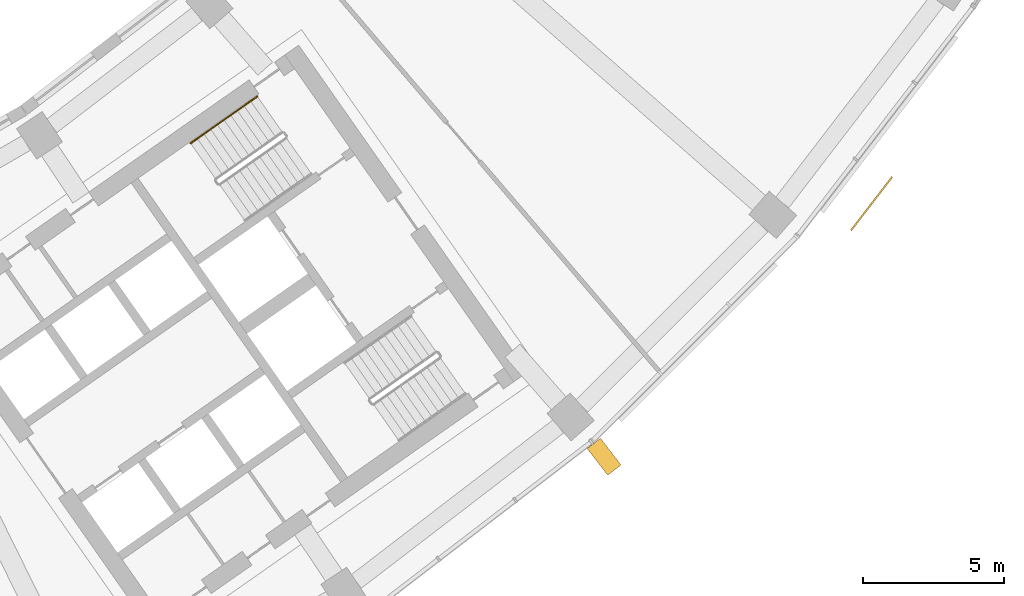
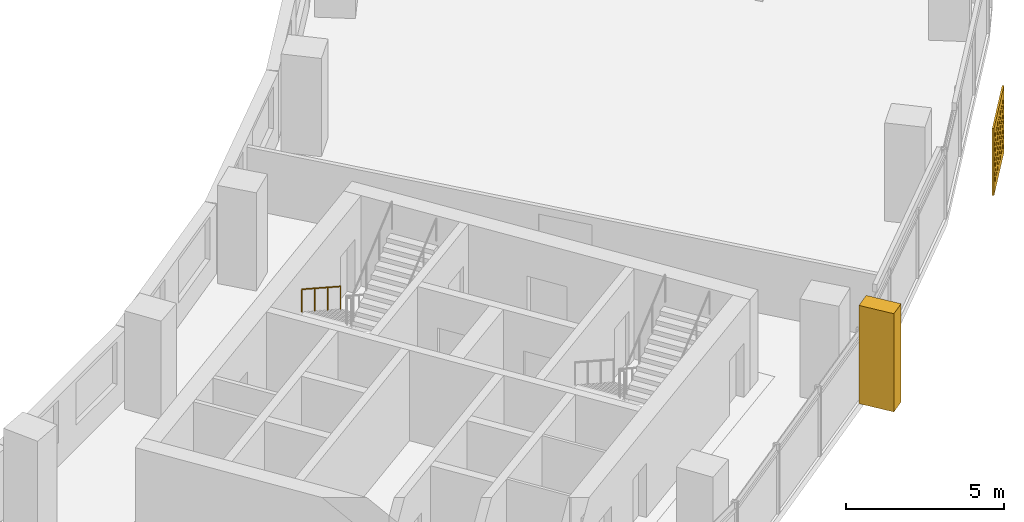
# One storey, part 27 of 27: 2 shading devices, 1 railing.
"""IFC4 building model written with IfcOpenShell, lengths in metres."""

import ifcopenshell
import ifcopenshell.guid

model = None  # the IFC model being written
_history = None  # IfcOwnerHistory: only IFC2X3 demands one
_inside = {}  # id of a spatial element -> (the spatial element, [elements in it])
_under = {}  # id of a project, library or spatial element -> (it, [spatial elements below it])
_declared = {}  # id of a project -> (the project, [libraries it declares])
_typed = {}  # id of a type object -> (the type object, [elements of that type])
_made_of = {}  # id of a material, layer set ... -> (it, [elements and type objects made of it])


def new_model(schema):
    """Start an empty IFC model of exactly this schema.

    Asked for "IFC4X3", IfcOpenShell would pick the latest addendum, in which some entities
    have other attributes; the version numbers below select the first issue.
    IFC2X3 requires an IfcOwnerHistory on every rooted entity: one is made here for all.
    """
    global model, _history
    if schema == "IFC4X3":
        model = ifcopenshell.file(schema_version=(4, 3, 0, 0))
    else:
        model = ifcopenshell.file(schema=schema)
    _inside.clear()
    _under.clear()
    _declared.clear()
    _typed.clear()
    _made_of.clear()
    _history = None
    if model.schema == "IFC2X3":
        org = make("IfcOrganization", Name="unknown")
        user = make(
            "IfcPersonAndOrganization",
            ThePerson=make("IfcPerson", FamilyName="unknown"),
            TheOrganization=org,
        )
        app = make(
            "IfcApplication",
            ApplicationDeveloper=org,
            Version="unknown",
            ApplicationFullName="unknown",
            ApplicationIdentifier="unknown",
        )
        _history = make(
            "IfcOwnerHistory",
            OwningUser=user,
            OwningApplication=app,
            ChangeAction="ADDED",
            CreationDate=0,
        )
    return model


def make(cls, **values):
    """One entity of the class cls with the attributes given. An attribute that is None is left unset."""
    return model.create_entity(
        cls, **{name: value for name, value in values.items() if value is not None}
    )


def rooted(cls, **values):
    """An entity with a GlobalId (a new one), such as an element, a storey or a relation."""
    return make(cls, GlobalId=ifcopenshell.guid.new(), OwnerHistory=_history, **values)


def si_unit(unit_type, name, prefix=None):
    """IfcSIUnit, for example si_unit("LENGTHUNIT", "METRE", prefix="MILLI")."""
    return make("IfcSIUnit", UnitType=unit_type, Prefix=prefix, Name=name)


def assignment(units):
    """IfcUnitAssignment: the units of a project."""
    return None if units is None else make("IfcUnitAssignment", Units=units)


def point(xyz):
    """IfcCartesianPoint."""
    return None if xyz is None else make("IfcCartesianPoint", Coordinates=xyz)


def direction(xyz):
    """IfcDirection."""
    return None if xyz is None else make("IfcDirection", DirectionRatios=xyz)


def frame(location, z_axis=None, x_axis=None):
    """IfcAxis2Placement3D, a coordinate frame: its origin and axes. An axis left out is left unset."""
    return make(
        "IfcAxis2Placement3D",
        Location=point(location),
        Axis=direction(z_axis),
        RefDirection=direction(x_axis),
    )


def frame_2d(location, x_axis=None):
    """IfcAxis2Placement2D, a coordinate frame in the plane: its origin and x axis."""
    return make(
        "IfcAxis2Placement2D", Location=point(location), RefDirection=direction(x_axis)
    )


def origin():
    """The frame at (0, 0, 0) with its axes left unset."""
    return frame((0.0, 0.0, 0.0))


def origin_2d():
    """The frame at (0, 0) in the plane with its x axis left unset."""
    return frame_2d((0.0, 0.0))


def place(relative_to, where):
    """IfcLocalPlacement: puts the frame where relative to a parent placement (None: the world)."""
    return make(
        "IfcLocalPlacement", PlacementRelTo=relative_to, RelativePlacement=where
    )


def context(
    kind, dimensions, precision=None, world=None, true_north=None, identifier=None
):
    """IfcGeometricRepresentationContext, for example the 3D "Model" context."""
    return make(
        "IfcGeometricRepresentationContext",
        ContextIdentifier=identifier,
        ContextType=kind,
        CoordinateSpaceDimension=dimensions,
        Precision=precision,
        WorldCoordinateSystem=world,
        TrueNorth=true_north,
    )


def subcontext(parent, identifier, kind, view, scale=None):
    """IfcGeometricRepresentationSubContext, for example "Body" below "Model"."""
    return make(
        "IfcGeometricRepresentationSubContext",
        ContextIdentifier=identifier,
        ContextType=kind,
        ParentContext=parent,
        TargetScale=scale,
        TargetView=view,
    )


def project(units=None, contexts=None):
    """IfcProject with its units and contexts."""
    return rooted(
        "IfcProject",
        Name="project",
        RepresentationContexts=contexts,
        UnitsInContext=assignment(units),
    )


def spatial(cls, under=None, at=None, **own):
    """A site, building, storey or space (cls), placed at a placement, below another one or the project."""
    s = rooted(cls, ObjectPlacement=at, **own)
    if under is not None:
        _under.setdefault(under.id(), (under, []))[1].append(s)
    return s


def polyline(points):
    """IfcPolyline through the points."""
    return make("IfcPolyline", Points=[point(p) for p in points])


def profile(cls, at=None, kind="AREA", **sizes):
    """A parametric profile (cls). Its sizes go by their IFC names, for example OverallWidth=200.0."""
    return make(cls, ProfileType=kind, Position=at, **sizes)


def circle(**sizes):
    """IfcCircleProfileDef."""
    return profile("IfcCircleProfileDef", **sizes)


def outline(outer, holes=None, kind="AREA"):
    """IfcArbitraryClosedProfileDef: a profile drawn as a closed curve; with holes, ...WithVoids."""
    if holes is None:
        return make("IfcArbitraryClosedProfileDef", ProfileType=kind, OuterCurve=outer)
    return make(
        "IfcArbitraryProfileDefWithVoids",
        ProfileType=kind,
        OuterCurve=outer,
        InnerCurves=holes,
    )


def extrude(swept, where, along, depth):
    """IfcExtrudedAreaSolid: the profile swept, set in the frame where, extruded along a direction by depth."""
    return make(
        "IfcExtrudedAreaSolid",
        SweptArea=swept,
        Position=where,
        ExtrudedDirection=direction(along),
        Depth=depth,
    )


def shape(context_of_items, identifier, shape_type, items):
    """IfcShapeRepresentation: the items that make up one representation, for example the "Body"."""
    return make(
        "IfcShapeRepresentation",
        ContextOfItems=context_of_items,
        RepresentationIdentifier=identifier,
        RepresentationType=shape_type,
        Items=items,
    )


def material(Name=None, Category=None):
    """IfcMaterial."""
    return make("IfcMaterial", Name=Name, Category=Category)


def material_profile(
    of_material, cross_section, Name=None, Category=None, Priority=None
):
    """IfcMaterialProfile: a cross section and its material."""
    return make(
        "IfcMaterialProfile",
        Name=Name,
        Material=of_material,
        Profile=cross_section,
        Priority=Priority,
        Category=Category,
    )


def profile_set(profiles, Name=None, composite=None):
    """IfcMaterialProfileSet."""
    return make(
        "IfcMaterialProfileSet",
        Name=Name,
        MaterialProfiles=profiles,
        CompositeProfile=composite,
    )


def made_of(thing, what):
    """Note that an element or type object is made of a material, layer set ...; save() writes the relation."""
    if what is not None:
        _made_of.setdefault(what.id(), (what, []))[1].append(thing)
    return thing


def type_object(cls, material=None, **own):
    """A type object (cls), such as IfcWallType, which elements share."""
    return made_of(rooted(cls, **own), material)


def element(
    cls,
    number,
    at=None,
    inside=None,
    cuts=None,
    type_object=None,
    material=None,
    context=None,
    identifier="Body",
    shape_type=None,
    held_by="IfcProductDefinitionShape",
    body=None,
    shapes=None,
    **own,
):
    """One element of the class cls, such as IfcWall. Its Tag is "e" and its number.

    at: its placement. inside: the storey or other place that contains it. cuts: it is an
    opening in that element (IfcRelVoidsElement). A single representation is given by context,
    identifier, shape_type and body (its items); several are given by shapes. held_by: the class
    of the entity that holds the representations. save() writes the other relations.
    """
    e = rooted(cls, Tag="e%d" % number, ObjectPlacement=at, **own)
    if body is not None:
        shapes = [shape(context, identifier, shape_type, body)]
    if shapes is not None:
        e.Representation = make(held_by, Representations=shapes)
    if inside is not None:
        _inside.setdefault(inside.id(), (inside, []))[1].append(e)
    if cuts is not None:
        rooted(
            "IfcRelVoidsElement", RelatingBuildingElement=cuts, RelatedOpeningElement=e
        )
    if type_object is not None:
        _typed.setdefault(type_object.id(), (type_object, []))[1].append(e)
    return made_of(e, material)


def aggregate(whole, parts):
    """IfcRelAggregates: a whole, such as a stair, and the parts it consists of."""
    return rooted("IfcRelAggregates", RelatingObject=whole, RelatedObjects=parts)


def save(model, path):
    """Write the relations noted so far, then the file.

    IfcRelAggregates (storeys below a building ...), IfcRelContainedInSpatialStructure (elements
    in a storey), IfcRelDefinesByType, IfcRelAssociatesMaterial and IfcRelDeclares: one each for
    every whole, place, type object, material and project.
    """
    for whole, parts in _under.values():
        aggregate(whole, parts)
    for where, things in _inside.values():
        rooted(
            "IfcRelContainedInSpatialStructure",
            RelatedElements=things,
            RelatingStructure=where,
        )
    for kind, things in _typed.values():
        rooted("IfcRelDefinesByType", RelatedObjects=things, RelatingType=kind)
    for what, things in _made_of.values():
        rooted("IfcRelAssociatesMaterial", RelatedObjects=things, RelatingMaterial=what)
    for by, libraries in _declared.values():
        rooted("IfcRelDeclares", RelatingContext=by, RelatedDefinitions=libraries)
    model.write(path)


model = new_model("IFC4")

# Units and contexts
model_context = context("Model", 3, precision=1e-05, world=origin(), true_north=direction((0.0, 1.0)))
body_context = subcontext(model_context, "Body", "Model", "MODEL_VIEW")
ifc_project = project(units=[si_unit("LENGTHUNIT", "METRE"), si_unit("AREAUNIT", "SQUARE_METRE"), si_unit("VOLUMEUNIT", "CUBIC_METRE"), si_unit("PLANEANGLEUNIT", "RADIAN"), si_unit("MASSUNIT", "GRAM", prefix="KILO")], contexts=[model_context])

# Site, building, storey
site_placement = place(None, origin())
site = spatial("IfcSite", under=ifc_project, at=site_placement, CompositionType="ELEMENT")
building_placement = place(site_placement, origin())
building = spatial("IfcBuilding", under=site, at=building_placement, Name="Qamariyya Broadcast Tower", CompositionType="ELEMENT")
storey_placement = place(building_placement, frame((0.0, 0.0, 153.10009765625)))
storey = spatial("IfcBuildingStorey", under=building, at=storey_placement, Name="L35", CompositionType="ELEMENT", Elevation=153.10009765625)

# Shading devices
ifc_material_1 = material(Name="Steel S355 powder coated deep red", Category="steel")
shading_device_type_1 = type_object("IfcShadingDeviceType", Name="Deep red frame, powder coated steel box section", PredefinedType="USERDEFINED", material=ifc_material_1)
shading_device_1_placement = place(storey_placement, origin())
element("IfcShadingDevice", 1, at=shading_device_1_placement, inside=storey, type_object=shading_device_type_1, Name="e-frm-B3-F4-postb-L35", ObjectType="FRAME", PredefinedType="USERDEFINED", context=body_context, shape_type="SweptSolid", body=[
    extrude(outline(polyline([(51.850341796875, -59.577880859375), (52.580810546875, -60.530029296875), (53.056884765625, -60.164794921875), (52.326416015625, -59.212646484375), (51.850341796875, -59.577880859375)])), origin(), (0.0, 0.0, 1.0), 3.7998046875),
])
ifc_material_2 = material(Name="Perforated glazed terracotta", Category="masonry")
ifc_material_profile = material_profile(ifc_material_2, outline(polyline([(-1.199951171875, -1.300048828125), (1.199951171875, -1.300048828125), (1.199951171875, 1.300048828125), (-1.199951171875, 1.300048828125), (-1.199951171875, -1.300048828125)]), holes=[polyline([(-0.81494140625, -0.86669921875), (-0.89990234375, -0.78173828125), (-0.985107421875, -0.86669921875), (-0.89990234375, -0.95166015625), (-0.81494140625, -0.86669921875)]), polyline([(-0.514892578125, -0.86669921875), (-0.60009765625, -0.78173828125), (-0.68505859375, -0.86669921875), (-0.60009765625, -0.95166015625), (-0.514892578125, -0.86669921875)]), polyline([(-0.215087890625, -0.86669921875), (-0.300048828125, -0.78173828125), (-0.385009765625, -0.86669921875), (-0.300048828125, -0.95166015625), (-0.215087890625, -0.86669921875)]), polyline([(0.0849609375, -0.86669921875), (0.0, -0.78173828125), (-0.0849609375, -0.86669921875), (0.0, -0.95166015625), (0.0849609375, -0.86669921875)]), polyline([(0.385009765625, -0.86669921875), (0.300048828125, -0.78173828125), (0.215087890625, -0.86669921875), (0.300048828125, -0.95166015625), (0.385009765625, -0.86669921875)]), polyline([(0.68505859375, -0.86669921875), (0.60009765625, -0.78173828125), (0.514892578125, -0.86669921875), (0.60009765625, -0.95166015625), (0.68505859375, -0.86669921875)]), polyline([(0.985107421875, -0.86669921875), (0.89990234375, -0.78173828125), (0.81494140625, -0.86669921875), (0.89990234375, -0.95166015625), (0.985107421875, -0.86669921875)]), polyline([(-0.965087890625, -0.577880859375), (-1.050048828125, -0.49267578125), (-1.135009765625, -0.577880859375), (-1.050048828125, -0.662841796875), (-0.965087890625, -0.577880859375)]), polyline([(-0.6650390625, -0.577880859375), (-0.75, -0.49267578125), (-0.8349609375, -0.577880859375), (-0.75, -0.662841796875), (-0.6650390625, -0.577880859375)]), polyline([(-0.364990234375, -0.577880859375), (-0.449951171875, -0.49267578125), (-0.534912109375, -0.577880859375), (-0.449951171875, -0.662841796875), (-0.364990234375, -0.577880859375)]), polyline([(-0.06494140625, -0.577880859375), (-0.14990234375, -0.49267578125), (-0.235107421875, -0.577880859375), (-0.14990234375, -0.662841796875), (-0.06494140625, -0.577880859375)]), polyline([(0.235107421875, -0.577880859375), (0.14990234375, -0.49267578125), (0.06494140625, -0.577880859375), (0.14990234375, -0.662841796875), (0.235107421875, -0.577880859375)]), polyline([(0.534912109375, -0.577880859375), (0.449951171875, -0.49267578125), (0.364990234375, -0.577880859375), (0.449951171875, -0.662841796875), (0.534912109375, -0.577880859375)]), polyline([(0.8349609375, -0.577880859375), (0.75, -0.49267578125), (0.6650390625, -0.577880859375), (0.75, -0.662841796875), (0.8349609375, -0.577880859375)]), polyline([(1.135009765625, -0.577880859375), (1.050048828125, -0.49267578125), (0.965087890625, -0.577880859375), (1.050048828125, -0.662841796875), (1.135009765625, -0.577880859375)]), polyline([(-0.81494140625, -0.288818359375), (-0.89990234375, -0.203857421875), (-0.985107421875, -0.288818359375), (-0.89990234375, -0.373779296875), (-0.81494140625, -0.288818359375)]), polyline([(-0.514892578125, -0.288818359375), (-0.60009765625, -0.203857421875), (-0.68505859375, -0.288818359375), (-0.60009765625, -0.373779296875), (-0.514892578125, -0.288818359375)]), polyline([(-0.215087890625, -0.288818359375), (-0.300048828125, -0.203857421875), (-0.385009765625, -0.288818359375), (-0.300048828125, -0.373779296875), (-0.215087890625, -0.288818359375)]), polyline([(0.0849609375, -0.288818359375), (0.0, -0.203857421875), (-0.0849609375, -0.288818359375), (0.0, -0.373779296875), (0.0849609375, -0.288818359375)]), polyline([(0.385009765625, -0.288818359375), (0.300048828125, -0.203857421875), (0.215087890625, -0.288818359375), (0.300048828125, -0.373779296875), (0.385009765625, -0.288818359375)]), polyline([(0.68505859375, -0.288818359375), (0.60009765625, -0.203857421875), (0.514892578125, -0.288818359375), (0.60009765625, -0.373779296875), (0.68505859375, -0.288818359375)]), polyline([(0.985107421875, -0.288818359375), (0.89990234375, -0.203857421875), (0.81494140625, -0.288818359375), (0.89990234375, -0.373779296875), (0.985107421875, -0.288818359375)]), polyline([(-0.965087890625, 0.0), (-1.050048828125, 0.0849609375), (-1.135009765625, 0.0), (-1.050048828125, -0.0849609375), (-0.965087890625, 0.0)]), polyline([(-0.6650390625, 0.0), (-0.75, 0.0849609375), (-0.8349609375, 0.0), (-0.75, -0.0849609375), (-0.6650390625, 0.0)]), polyline([(-0.364990234375, 0.0), (-0.449951171875, 0.0849609375), (-0.534912109375, 0.0), (-0.449951171875, -0.0849609375), (-0.364990234375, 0.0)]), polyline([(-0.06494140625, 0.0), (-0.14990234375, 0.0849609375), (-0.235107421875, 0.0), (-0.14990234375, -0.0849609375), (-0.06494140625, 0.0)]), polyline([(0.235107421875, 0.0), (0.14990234375, 0.0849609375), (0.06494140625, 0.0), (0.14990234375, -0.0849609375), (0.235107421875, 0.0)]), polyline([(0.534912109375, 0.0), (0.449951171875, 0.0849609375), (0.364990234375, 0.0), (0.449951171875, -0.0849609375), (0.534912109375, 0.0)]), polyline([(0.8349609375, 0.0), (0.75, 0.0849609375), (0.6650390625, 0.0), (0.75, -0.0849609375), (0.8349609375, 0.0)]), polyline([(1.135009765625, 0.0), (1.050048828125, 0.0849609375), (0.965087890625, 0.0), (1.050048828125, -0.0849609375), (1.135009765625, 0.0)]), polyline([(-0.81494140625, 0.288818359375), (-0.89990234375, 0.373779296875), (-0.985107421875, 0.288818359375), (-0.89990234375, 0.203857421875), (-0.81494140625, 0.288818359375)]), polyline([(-0.514892578125, 0.288818359375), (-0.60009765625, 0.373779296875), (-0.68505859375, 0.288818359375), (-0.60009765625, 0.203857421875), (-0.514892578125, 0.288818359375)]), polyline([(-0.215087890625, 0.288818359375), (-0.300048828125, 0.373779296875), (-0.385009765625, 0.288818359375), (-0.300048828125, 0.203857421875), (-0.215087890625, 0.288818359375)]), polyline([(0.0849609375, 0.288818359375), (0.0, 0.373779296875), (-0.0849609375, 0.288818359375), (0.0, 0.203857421875), (0.0849609375, 0.288818359375)]), polyline([(0.385009765625, 0.288818359375), (0.300048828125, 0.373779296875), (0.215087890625, 0.288818359375), (0.300048828125, 0.203857421875), (0.385009765625, 0.288818359375)]), polyline([(0.68505859375, 0.288818359375), (0.60009765625, 0.373779296875), (0.514892578125, 0.288818359375), (0.60009765625, 0.203857421875), (0.68505859375, 0.288818359375)]), polyline([(0.985107421875, 0.288818359375), (0.89990234375, 0.373779296875), (0.81494140625, 0.288818359375), (0.89990234375, 0.203857421875), (0.985107421875, 0.288818359375)]), polyline([(-0.965087890625, 0.577880859375), (-1.050048828125, 0.662841796875), (-1.135009765625, 0.577880859375), (-1.050048828125, 0.49267578125), (-0.965087890625, 0.577880859375)]), polyline([(-0.6650390625, 0.577880859375), (-0.75, 0.662841796875), (-0.8349609375, 0.577880859375), (-0.75, 0.49267578125), (-0.6650390625, 0.577880859375)]), polyline([(-0.364990234375, 0.577880859375), (-0.449951171875, 0.662841796875), (-0.534912109375, 0.577880859375), (-0.449951171875, 0.49267578125), (-0.364990234375, 0.577880859375)]), polyline([(-0.06494140625, 0.577880859375), (-0.14990234375, 0.662841796875), (-0.235107421875, 0.577880859375), (-0.14990234375, 0.49267578125), (-0.06494140625, 0.577880859375)]), polyline([(0.235107421875, 0.577880859375), (0.14990234375, 0.662841796875), (0.06494140625, 0.577880859375), (0.14990234375, 0.49267578125), (0.235107421875, 0.577880859375)]), polyline([(0.534912109375, 0.577880859375), (0.449951171875, 0.662841796875), (0.364990234375, 0.577880859375), (0.449951171875, 0.49267578125), (0.534912109375, 0.577880859375)]), polyline([(0.8349609375, 0.577880859375), (0.75, 0.662841796875), (0.6650390625, 0.577880859375), (0.75, 0.49267578125), (0.8349609375, 0.577880859375)]), polyline([(1.135009765625, 0.577880859375), (1.050048828125, 0.662841796875), (0.965087890625, 0.577880859375), (1.050048828125, 0.49267578125), (1.135009765625, 0.577880859375)]), polyline([(-0.81494140625, 0.86669921875), (-0.89990234375, 0.95166015625), (-0.985107421875, 0.86669921875), (-0.89990234375, 0.78173828125), (-0.81494140625, 0.86669921875)]), polyline([(-0.514892578125, 0.86669921875), (-0.60009765625, 0.95166015625), (-0.68505859375, 0.86669921875), (-0.60009765625, 0.78173828125), (-0.514892578125, 0.86669921875)]), polyline([(-0.215087890625, 0.86669921875), (-0.300048828125, 0.95166015625), (-0.385009765625, 0.86669921875), (-0.300048828125, 0.78173828125), (-0.215087890625, 0.86669921875)]), polyline([(0.0849609375, 0.86669921875), (0.0, 0.95166015625), (-0.0849609375, 0.86669921875), (0.0, 0.78173828125), (0.0849609375, 0.86669921875)]), polyline([(0.385009765625, 0.86669921875), (0.300048828125, 0.95166015625), (0.215087890625, 0.86669921875), (0.300048828125, 0.78173828125), (0.385009765625, 0.86669921875)]), polyline([(0.68505859375, 0.86669921875), (0.60009765625, 0.95166015625), (0.514892578125, 0.86669921875), (0.60009765625, 0.78173828125), (0.68505859375, 0.86669921875)]), polyline([(0.985107421875, 0.86669921875), (0.89990234375, 0.95166015625), (0.81494140625, 0.86669921875), (0.89990234375, 0.78173828125), (0.985107421875, 0.86669921875)])]))
ifc_profile_set = profile_set([ifc_material_profile], Name="Perforated glazed terracotta")
shading_device_type_2 = type_object("IfcShadingDeviceType", Name="Perforated terracotta screen 2400 x 2600", PredefinedType="USERDEFINED", material=ifc_profile_set)
shading_device_2_placement = place(storey_placement, frame((61.9501953125, -50.844970703125, 1.349853515625), z_axis=(0.792623989105, -0.60971076085, 0.0), x_axis=(0.60971076085, 0.792623989105, 0.0)))
element("IfcShadingDevice", 2, at=shading_device_2_placement, inside=storey, type_object=shading_device_type_2, Name="e-scr-L35-14-0", ObjectType="SCREEN", PredefinedType="USERDEFINED", context=body_context, shape_type="SweptSolid", body=[
    extrude(outline(polyline([(-1.199951171875, -1.300048828125), (1.199951171875, -1.300048828125), (1.199951171875, 1.300048828125), (-1.199951171875, 1.300048828125), (-1.199951171875, -1.300048828125)]), holes=[polyline([(-0.81494140625, -0.86669921875), (-0.89990234375, -0.78173828125), (-0.985107421875, -0.86669921875), (-0.89990234375, -0.95166015625), (-0.81494140625, -0.86669921875)]), polyline([(-0.514892578125, -0.86669921875), (-0.60009765625, -0.78173828125), (-0.68505859375, -0.86669921875), (-0.60009765625, -0.95166015625), (-0.514892578125, -0.86669921875)]), polyline([(-0.215087890625, -0.86669921875), (-0.300048828125, -0.78173828125), (-0.385009765625, -0.86669921875), (-0.300048828125, -0.95166015625), (-0.215087890625, -0.86669921875)]), polyline([(0.0849609375, -0.86669921875), (0.0, -0.78173828125), (-0.0849609375, -0.86669921875), (0.0, -0.95166015625), (0.0849609375, -0.86669921875)]), polyline([(0.385009765625, -0.86669921875), (0.300048828125, -0.78173828125), (0.215087890625, -0.86669921875), (0.300048828125, -0.95166015625), (0.385009765625, -0.86669921875)]), polyline([(0.68505859375, -0.86669921875), (0.60009765625, -0.78173828125), (0.514892578125, -0.86669921875), (0.60009765625, -0.95166015625), (0.68505859375, -0.86669921875)]), polyline([(0.985107421875, -0.86669921875), (0.89990234375, -0.78173828125), (0.81494140625, -0.86669921875), (0.89990234375, -0.95166015625), (0.985107421875, -0.86669921875)]), polyline([(-0.965087890625, -0.577880859375), (-1.050048828125, -0.49267578125), (-1.135009765625, -0.577880859375), (-1.050048828125, -0.662841796875), (-0.965087890625, -0.577880859375)]), polyline([(-0.6650390625, -0.577880859375), (-0.75, -0.49267578125), (-0.8349609375, -0.577880859375), (-0.75, -0.662841796875), (-0.6650390625, -0.577880859375)]), polyline([(-0.364990234375, -0.577880859375), (-0.449951171875, -0.49267578125), (-0.534912109375, -0.577880859375), (-0.449951171875, -0.662841796875), (-0.364990234375, -0.577880859375)]), polyline([(-0.06494140625, -0.577880859375), (-0.14990234375, -0.49267578125), (-0.235107421875, -0.577880859375), (-0.14990234375, -0.662841796875), (-0.06494140625, -0.577880859375)]), polyline([(0.235107421875, -0.577880859375), (0.14990234375, -0.49267578125), (0.06494140625, -0.577880859375), (0.14990234375, -0.662841796875), (0.235107421875, -0.577880859375)]), polyline([(0.534912109375, -0.577880859375), (0.449951171875, -0.49267578125), (0.364990234375, -0.577880859375), (0.449951171875, -0.662841796875), (0.534912109375, -0.577880859375)]), polyline([(0.8349609375, -0.577880859375), (0.75, -0.49267578125), (0.6650390625, -0.577880859375), (0.75, -0.662841796875), (0.8349609375, -0.577880859375)]), polyline([(1.135009765625, -0.577880859375), (1.050048828125, -0.49267578125), (0.965087890625, -0.577880859375), (1.050048828125, -0.662841796875), (1.135009765625, -0.577880859375)]), polyline([(-0.81494140625, -0.288818359375), (-0.89990234375, -0.203857421875), (-0.985107421875, -0.288818359375), (-0.89990234375, -0.373779296875), (-0.81494140625, -0.288818359375)]), polyline([(-0.514892578125, -0.288818359375), (-0.60009765625, -0.203857421875), (-0.68505859375, -0.288818359375), (-0.60009765625, -0.373779296875), (-0.514892578125, -0.288818359375)]), polyline([(-0.215087890625, -0.288818359375), (-0.300048828125, -0.203857421875), (-0.385009765625, -0.288818359375), (-0.300048828125, -0.373779296875), (-0.215087890625, -0.288818359375)]), polyline([(0.0849609375, -0.288818359375), (0.0, -0.203857421875), (-0.0849609375, -0.288818359375), (0.0, -0.373779296875), (0.0849609375, -0.288818359375)]), polyline([(0.385009765625, -0.288818359375), (0.300048828125, -0.203857421875), (0.215087890625, -0.288818359375), (0.300048828125, -0.373779296875), (0.385009765625, -0.288818359375)]), polyline([(0.68505859375, -0.288818359375), (0.60009765625, -0.203857421875), (0.514892578125, -0.288818359375), (0.60009765625, -0.373779296875), (0.68505859375, -0.288818359375)]), polyline([(0.985107421875, -0.288818359375), (0.89990234375, -0.203857421875), (0.81494140625, -0.288818359375), (0.89990234375, -0.373779296875), (0.985107421875, -0.288818359375)]), polyline([(-0.965087890625, 0.0), (-1.050048828125, 0.0849609375), (-1.135009765625, 0.0), (-1.050048828125, -0.0849609375), (-0.965087890625, 0.0)]), polyline([(-0.6650390625, 0.0), (-0.75, 0.0849609375), (-0.8349609375, 0.0), (-0.75, -0.0849609375), (-0.6650390625, 0.0)]), polyline([(-0.364990234375, 0.0), (-0.449951171875, 0.0849609375), (-0.534912109375, 0.0), (-0.449951171875, -0.0849609375), (-0.364990234375, 0.0)]), polyline([(-0.06494140625, 0.0), (-0.14990234375, 0.0849609375), (-0.235107421875, 0.0), (-0.14990234375, -0.0849609375), (-0.06494140625, 0.0)]), polyline([(0.235107421875, 0.0), (0.14990234375, 0.0849609375), (0.06494140625, 0.0), (0.14990234375, -0.0849609375), (0.235107421875, 0.0)]), polyline([(0.534912109375, 0.0), (0.449951171875, 0.0849609375), (0.364990234375, 0.0), (0.449951171875, -0.0849609375), (0.534912109375, 0.0)]), polyline([(0.8349609375, 0.0), (0.75, 0.0849609375), (0.6650390625, 0.0), (0.75, -0.0849609375), (0.8349609375, 0.0)]), polyline([(1.135009765625, 0.0), (1.050048828125, 0.0849609375), (0.965087890625, 0.0), (1.050048828125, -0.0849609375), (1.135009765625, 0.0)]), polyline([(-0.81494140625, 0.288818359375), (-0.89990234375, 0.373779296875), (-0.985107421875, 0.288818359375), (-0.89990234375, 0.203857421875), (-0.81494140625, 0.288818359375)]), polyline([(-0.514892578125, 0.288818359375), (-0.60009765625, 0.373779296875), (-0.68505859375, 0.288818359375), (-0.60009765625, 0.203857421875), (-0.514892578125, 0.288818359375)]), polyline([(-0.215087890625, 0.288818359375), (-0.300048828125, 0.373779296875), (-0.385009765625, 0.288818359375), (-0.300048828125, 0.203857421875), (-0.215087890625, 0.288818359375)]), polyline([(0.0849609375, 0.288818359375), (0.0, 0.373779296875), (-0.0849609375, 0.288818359375), (0.0, 0.203857421875), (0.0849609375, 0.288818359375)]), polyline([(0.385009765625, 0.288818359375), (0.300048828125, 0.373779296875), (0.215087890625, 0.288818359375), (0.300048828125, 0.203857421875), (0.385009765625, 0.288818359375)]), polyline([(0.68505859375, 0.288818359375), (0.60009765625, 0.373779296875), (0.514892578125, 0.288818359375), (0.60009765625, 0.203857421875), (0.68505859375, 0.288818359375)]), polyline([(0.985107421875, 0.288818359375), (0.89990234375, 0.373779296875), (0.81494140625, 0.288818359375), (0.89990234375, 0.203857421875), (0.985107421875, 0.288818359375)]), polyline([(-0.965087890625, 0.577880859375), (-1.050048828125, 0.662841796875), (-1.135009765625, 0.577880859375), (-1.050048828125, 0.49267578125), (-0.965087890625, 0.577880859375)]), polyline([(-0.6650390625, 0.577880859375), (-0.75, 0.662841796875), (-0.8349609375, 0.577880859375), (-0.75, 0.49267578125), (-0.6650390625, 0.577880859375)]), polyline([(-0.364990234375, 0.577880859375), (-0.449951171875, 0.662841796875), (-0.534912109375, 0.577880859375), (-0.449951171875, 0.49267578125), (-0.364990234375, 0.577880859375)]), polyline([(-0.06494140625, 0.577880859375), (-0.14990234375, 0.662841796875), (-0.235107421875, 0.577880859375), (-0.14990234375, 0.49267578125), (-0.06494140625, 0.577880859375)]), polyline([(0.235107421875, 0.577880859375), (0.14990234375, 0.662841796875), (0.06494140625, 0.577880859375), (0.14990234375, 0.49267578125), (0.235107421875, 0.577880859375)]), polyline([(0.534912109375, 0.577880859375), (0.449951171875, 0.662841796875), (0.364990234375, 0.577880859375), (0.449951171875, 0.49267578125), (0.534912109375, 0.577880859375)]), polyline([(0.8349609375, 0.577880859375), (0.75, 0.662841796875), (0.6650390625, 0.577880859375), (0.75, 0.49267578125), (0.8349609375, 0.577880859375)]), polyline([(1.135009765625, 0.577880859375), (1.050048828125, 0.662841796875), (0.965087890625, 0.577880859375), (1.050048828125, 0.49267578125), (1.135009765625, 0.577880859375)]), polyline([(-0.81494140625, 0.86669921875), (-0.89990234375, 0.95166015625), (-0.985107421875, 0.86669921875), (-0.89990234375, 0.78173828125), (-0.81494140625, 0.86669921875)]), polyline([(-0.514892578125, 0.86669921875), (-0.60009765625, 0.95166015625), (-0.68505859375, 0.86669921875), (-0.60009765625, 0.78173828125), (-0.514892578125, 0.86669921875)]), polyline([(-0.215087890625, 0.86669921875), (-0.300048828125, 0.95166015625), (-0.385009765625, 0.86669921875), (-0.300048828125, 0.78173828125), (-0.215087890625, 0.86669921875)]), polyline([(0.0849609375, 0.86669921875), (0.0, 0.95166015625), (-0.0849609375, 0.86669921875), (0.0, 0.78173828125), (0.0849609375, 0.86669921875)]), polyline([(0.385009765625, 0.86669921875), (0.300048828125, 0.95166015625), (0.215087890625, 0.86669921875), (0.300048828125, 0.78173828125), (0.385009765625, 0.86669921875)]), polyline([(0.68505859375, 0.86669921875), (0.60009765625, 0.95166015625), (0.514892578125, 0.86669921875), (0.60009765625, 0.78173828125), (0.68505859375, 0.86669921875)]), polyline([(0.985107421875, 0.86669921875), (0.89990234375, 0.95166015625), (0.81494140625, 0.86669921875), (0.89990234375, 0.78173828125), (0.985107421875, 0.86669921875)])]), origin(), (0.0, 0.0, 1.0), 0.06005859375),
])

# Railing
ifc_material_3 = material(Name="Stainless steel", Category="steel")
railing_type = type_object("IfcRailingType", Name="Stair handrail", PredefinedType="HANDRAIL", material=ifc_material_3)
railing_placement = place(storey_placement, frame((40.1142578125, -47.05029296875, 0.172607421875)))
element("IfcRailing", 3, at=railing_placement, inside=storey, type_object=railing_type, Name="L35 ST-E2 stair handrail 1", PredefinedType="HANDRAIL", context=body_context, shape_type="SweptSolid", body=[
    extrude(circle(Radius=0.02392578125, at=origin_2d()), frame((0.0, 0.0, 0.8759765625), z_axis=(-0.703745009021, -0.492838488332, 0.511715923826), x_axis=(0.573631830683, -0.819113253969, 0.0)), (0.0, 0.0, 1.0), 3.37548828125),
    extrude(circle(Radius=0.02099609375, at=origin_2d()), origin(), (0.0, 0.0, 1.0), 0.851806640625),
    extrude(circle(Radius=0.02099609375, at=origin_2d()), frame((-0.791748046875, -0.554443359375, 0.57568359375)), (0.0, 0.0, 1.0), 0.851806640625),
    extrude(circle(Radius=0.02099609375, at=origin_2d()), frame((-1.583740234375, -1.109130859375, 1.151611328125)), (0.0, 0.0, 1.0), 0.851806640625),
    extrude(circle(Radius=0.02099609375, at=origin_2d()), frame((-2.37548828125, -1.66357421875, 1.727294921875)), (0.0, 0.0, 1.0), 0.851806640625),
])

save(model, "model.ifc")
